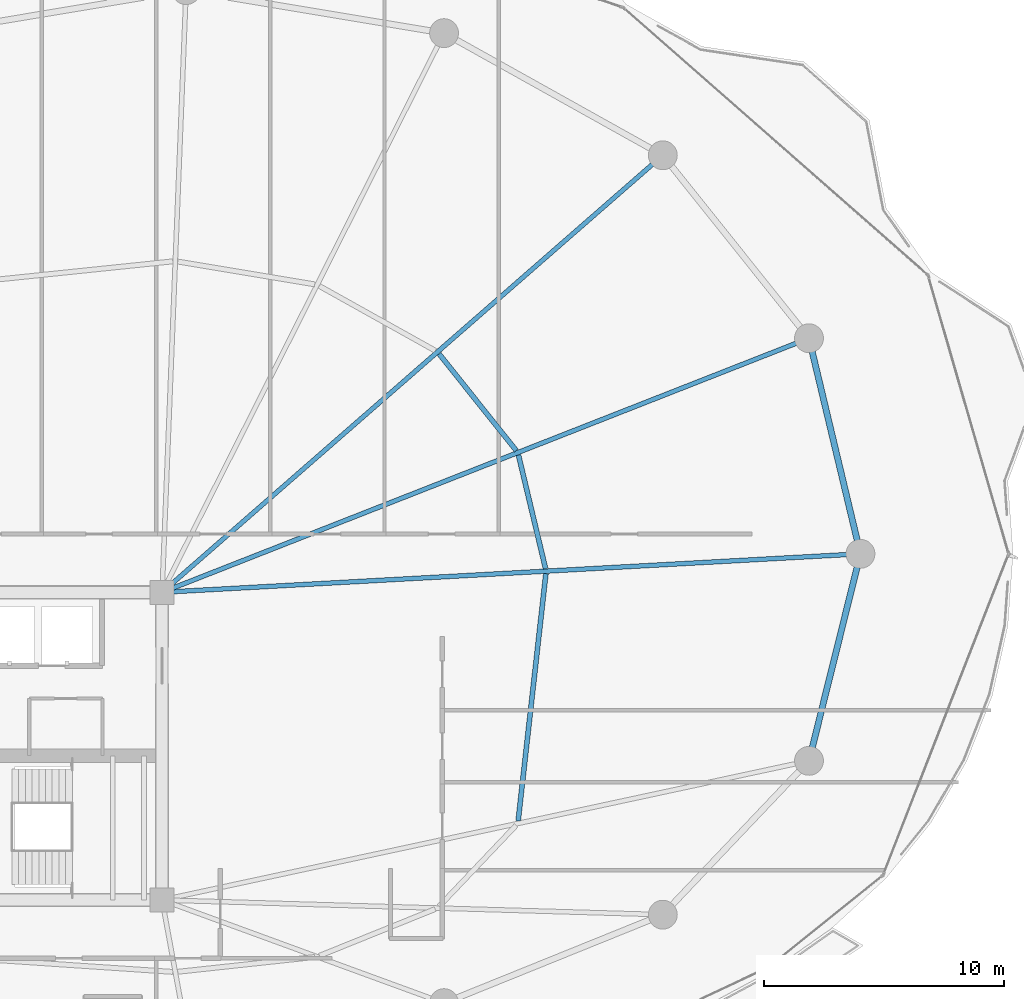
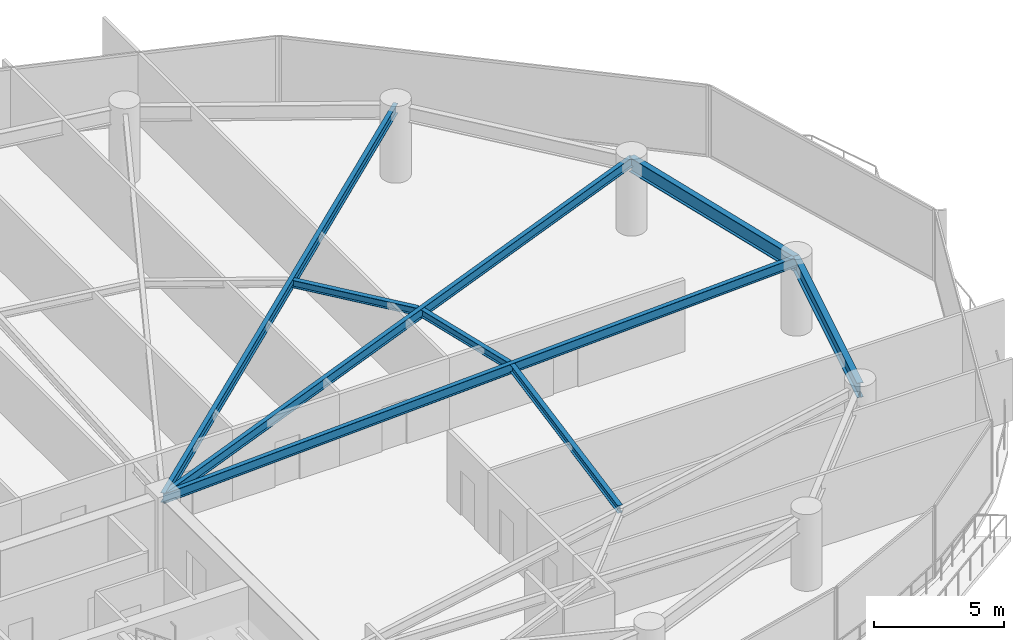
# One storey, part 16 of 34: 8 beams.
"""IFC4 building model written with IfcOpenShell, lengths in metres."""

from ifc_helpers import new_model, si_unit, direction, frame, origin, origin_2d, place, context, subcontext, project, spatial, i_section, extrude, material, material_profile, profile_set, type_object, element, save


model = new_model("IFC4")

# Units and contexts
model_context = context("Model", 3, precision=1e-05, world=origin(), true_north=direction((0.0, 1.0)))
body_context = subcontext(model_context, "Body", "Model", "MODEL_VIEW")
ifc_project = project(units=[si_unit("LENGTHUNIT", "METRE"), si_unit("AREAUNIT", "SQUARE_METRE"), si_unit("VOLUMEUNIT", "CUBIC_METRE"), si_unit("PLANEANGLEUNIT", "RADIAN"), si_unit("MASSUNIT", "GRAM", prefix="KILO")], contexts=[model_context])

# Site, building, storey
site_placement = place(None, origin())
site = spatial("IfcSite", under=ifc_project, at=site_placement, CompositionType="ELEMENT")
building_placement = place(site_placement, origin())
building = spatial("IfcBuilding", under=site, at=building_placement, Name="Kazevale Care Tower and Concert Hall", CompositionType="ELEMENT")
storey_placement = place(building_placement, frame((0.0, 0.0, 171.0)))
storey = spatial("IfcBuildingStorey", under=building, at=storey_placement, Name="L45", CompositionType="ELEMENT", Elevation=171.0)

# Beams
ifc_material = material(Name="Steel ASTM A572 Gr 50", Category="steel")
ifc_material_profile_1 = material_profile(ifc_material, i_section(OverallWidth=0.19091796875, OverallDepth=0.4599609375, WebThickness=0.010009765625, FlangeThickness=0.01611328125, at=origin_2d()), Name="W460x82")
ifc_profile_set_1 = profile_set([ifc_material_profile_1], Name="Steel ASTM A572 Gr 50")
beam_type_1 = type_object("IfcBeamType", Name="Radial Floor Beam W460x82", PredefinedType="BEAM", material=ifc_profile_set_1)
beam_1_placement = place(storey_placement, frame((44.0, 36.39990234375, 3.1298828125), z_axis=(0.998486500016, 0.054997357076, 0.0), x_axis=(-0.054997357076, 0.998486500016, 0.0)))
element("IfcBeam", 1, at=beam_1_placement, inside=storey, type_object=beam_type_1, Name="beam:L45:rad:01", PredefinedType="BEAM", context=body_context, shape_type="SweptSolid", body=[
    extrude(i_section(OverallWidth=0.19091796875, OverallDepth=0.4599609375, WebThickness=0.010009765625, FlangeThickness=0.01611328125, at=origin_2d()), origin(), (0.0, 0.0, 1.0), 29.093994140625),
])
beam_2_placement = place(storey_placement, frame((44.0, 36.39990234375, 3.1298828125), z_axis=(0.930771301513, 0.36560194786, 0.0), x_axis=(-0.36560194786, 0.930771301513, 0.0)))
element("IfcBeam", 2, at=beam_2_placement, inside=storey, type_object=beam_type_1, Name="beam:L45:rad:02", PredefinedType="BEAM", context=body_context, shape_type="SweptSolid", body=[
    extrude(i_section(OverallWidth=0.19091796875, OverallDepth=0.4599609375, WebThickness=0.010009765625, FlangeThickness=0.01611328125, at=origin_2d()), origin(), (0.0, 0.0, 1.0), 28.911376953125),
])
beam_3_placement = place(storey_placement, frame((44.0, 36.39990234375, 3.1298828125), z_axis=(0.753403181998, 0.657558853149, 0.0), x_axis=(-0.657558853149, 0.753403181998, 0.0)))
element("IfcBeam", 3, at=beam_3_placement, inside=storey, type_object=beam_type_1, Name="beam:L45:rad:03", PredefinedType="BEAM", context=body_context, shape_type="SweptSolid", body=[
    extrude(i_section(OverallWidth=0.19091796875, OverallDepth=0.4599609375, WebThickness=0.010009765625, FlangeThickness=0.01611328125, at=origin_2d()), origin(), (0.0, 0.0, 1.0), 27.64794921875),
])
ifc_material_profile_2 = material_profile(ifc_material, i_section(OverallWidth=0.205078125, OverallDepth=0.35400390625, WebThickness=0.009521484375, FlangeThickness=0.016845703125, at=origin_2d()), Name="W360x79")
ifc_profile_set_2 = profile_set([ifc_material_profile_2], Name="Steel ASTM A572 Gr 50")
beam_type_2 = type_object("IfcBeamType", Name="Secondary Floor Joist W360x79", PredefinedType="JOIST", material=ifc_profile_set_2)
beam_4_placement = place(storey_placement, frame((59.952880859375, 37.382080078125, 3.18310546875), z_axis=(-0.232005223279, 0.972714540023, 0.0), x_axis=(-0.972714540023, -0.232005223279, 0.0)))
element("IfcBeam", 4, at=beam_4_placement, inside=storey, type_object=beam_type_2, Name="beam:L45:joist:01", PredefinedType="JOIST", context=body_context, shape_type="SweptSolid", body=[
    extrude(i_section(OverallWidth=0.205078125, OverallDepth=0.35400390625, WebThickness=0.009521484375, FlangeThickness=0.016845703125, at=origin_2d()), origin(), (0.0, 0.0, 1.0), 4.861572265625),
])
beam_5_placement = place(storey_placement, frame((58.735107421875, 42.2958984375, 3.18310546875), z_axis=(-0.624261115922, 0.781215757104, 0.0), x_axis=(-0.781215757104, -0.624261115922, 0.0)))
element("IfcBeam", 5, at=beam_5_placement, inside=storey, type_object=beam_type_2, Name="beam:L45:joist:02", PredefinedType="JOIST", context=body_context, shape_type="SweptSolid", body=[
    extrude(i_section(OverallWidth=0.205078125, OverallDepth=0.35400390625, WebThickness=0.009521484375, FlangeThickness=0.016845703125, at=origin_2d()), origin(), (0.0, 0.0, 1.0), 5.147216796875),
])
beam_6_placement = place(storey_placement, frame((58.81201171875, 26.888916015625, 3.18310546875), z_axis=(0.111485011105, 0.993766115491, 0.0), x_axis=(-0.993766115491, 0.111485011105, 0.0)))
element("IfcBeam", 6, at=beam_6_placement, inside=storey, type_object=beam_type_2, Name="beam:L45:joist:16", PredefinedType="JOIST", context=body_context, shape_type="SweptSolid", body=[
    extrude(i_section(OverallWidth=0.205078125, OverallDepth=0.35400390625, WebThickness=0.009521484375, FlangeThickness=0.016845703125, at=origin_2d()), origin(), (0.0, 0.0, 1.0), 10.3515625),
])
ifc_material_profile_3 = material_profile(ifc_material, i_section(OverallWidth=0.256103515625, OverallDepth=0.693115234375, WebThickness=0.014404296875, FlangeThickness=0.023681640625, at=origin_2d()), Name="W690x170")
ifc_profile_set_3 = profile_set([ifc_material_profile_3], Name="Steel ASTM A572 Gr 50")
beam_type_3 = type_object("IfcBeamType", Name="Waist Ring Beam W690x170", PredefinedType="BEAM", material=ifc_profile_set_3)
beam_7_placement = place(storey_placement, frame((73.050048828125, 38.0, 3.013427734375), z_axis=(-0.232075055882, 0.972697881378, 0.0), x_axis=(-0.972697881378, -0.232075055882, 0.0)))
element("IfcBeam", 7, at=beam_7_placement, inside=storey, type_object=beam_type_3, Name="beam:L45:ring:01", PredefinedType="BEAM", context=body_context, shape_type="SweptSolid", body=[
    extrude(i_section(OverallWidth=0.256103515625, OverallDepth=0.693115234375, WebThickness=0.014404296875, FlangeThickness=0.023681640625, at=origin_2d()), origin(), (0.0, 0.0, 1.0), 9.2216796875),
])
beam_8_placement = place(storey_placement, frame((70.909912109375, 29.389892578125, 3.013427734375), z_axis=(0.241221022882, 0.970470204653, 0.0), x_axis=(-0.970470204653, 0.241221022882, 0.0)))
element("IfcBeam", 8, at=beam_8_placement, inside=storey, type_object=beam_type_3, Name="beam:L45:ring:16", PredefinedType="BEAM", context=body_context, shape_type="SweptSolid", body=[
    extrude(i_section(OverallWidth=0.256103515625, OverallDepth=0.693115234375, WebThickness=0.014404296875, FlangeThickness=0.023681640625, at=origin_2d()), origin(), (0.0, 0.0, 1.0), 8.8720703125),
])

save(model, "model.ifc")
